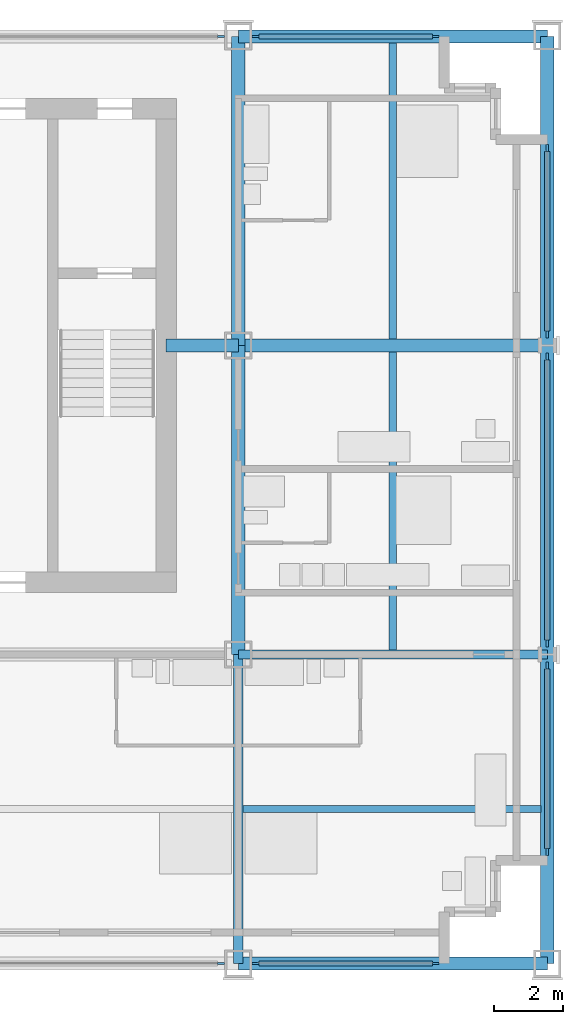
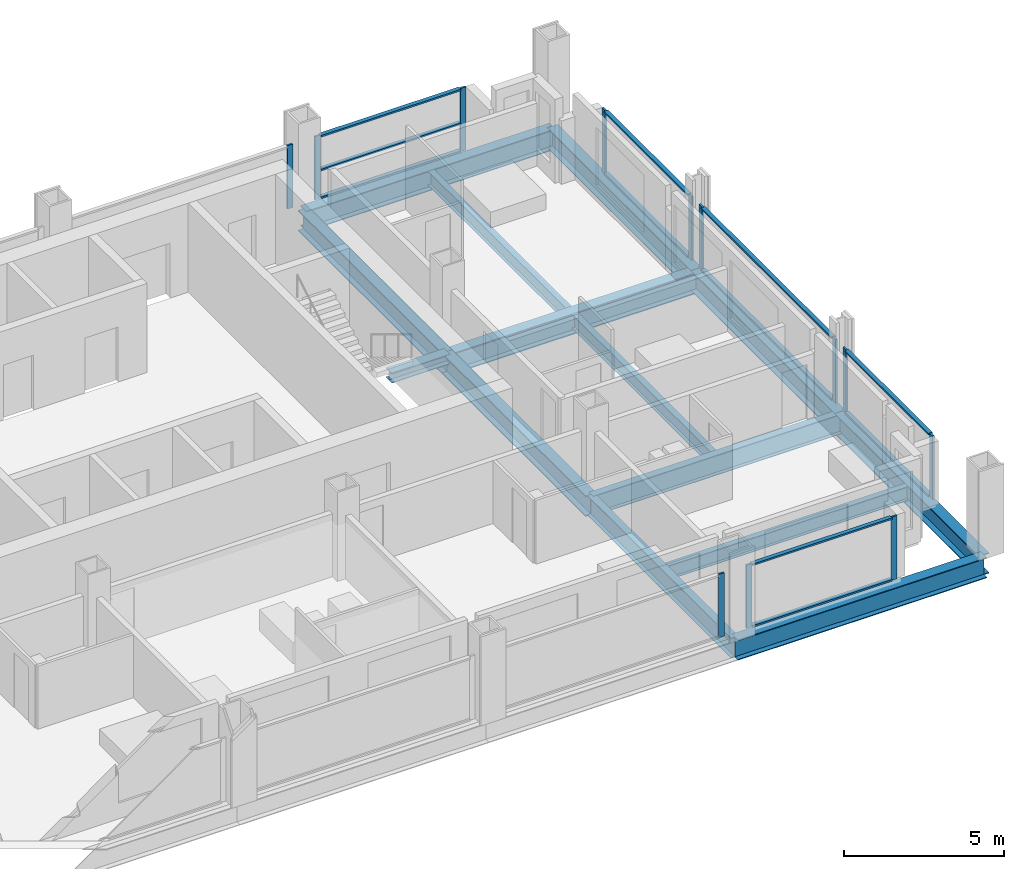
# One storey, part 5 of 13: 24 members, 13 beams, 7 elements without a shape of their own.
"""IFC4 building model written with IfcOpenShell, lengths in metres."""

from ifc_helpers import new_model, si_unit, direction, frame, origin, origin_2d, place, context, subcontext, project, spatial, rectangle, i_section, extrude, material, material_profile, profile_set, type_object, element, aggregate, save


model = new_model("IFC4")

# Units and contexts
model_context = context("Model", 3, precision=1e-05, world=origin(), true_north=direction((0.0, 1.0)))
body_context = subcontext(model_context, "Body", "Model", "MODEL_VIEW")
ifc_project = project(units=[si_unit("LENGTHUNIT", "METRE"), si_unit("AREAUNIT", "SQUARE_METRE"), si_unit("VOLUMEUNIT", "CUBIC_METRE"), si_unit("PLANEANGLEUNIT", "RADIAN"), si_unit("MASSUNIT", "GRAM", prefix="KILO")], contexts=[model_context])

# Site, building, storey
site_placement = place(None, origin())
site = spatial("IfcSite", under=ifc_project, at=site_placement, CompositionType="ELEMENT")
building_placement = place(site_placement, origin())
building = spatial("IfcBuilding", under=site, at=building_placement, Name="Loomwork Tower", CompositionType="ELEMENT")
storey_placement = place(building_placement, frame((0.0, 0.0, 180.800048828125)))
storey = spatial("IfcBuildingStorey", under=building, at=storey_placement, Name="L49", CompositionType="ELEMENT", Elevation=180.800048828125)

# Beams
ifc_material_1 = material(Name="Steel ASTM A992", Category="steel")
ifc_material_profile_1 = material_profile(ifc_material_1, i_section(OverallWidth=0.383544921875, OverallDepth=0.794921875, WebThickness=0.02099609375, FlangeThickness=0.0380859375, at=origin_2d()), Name="W30x235")
ifc_profile_set_1 = profile_set([ifc_material_profile_1], Name="Steel ASTM A992")
beam_type_1 = type_object("IfcBeamType", Name="CORE FLANK GIRDER W30x235", PredefinedType="BEAM", material=ifc_profile_set_1)
for number, where, z_axis, x_axis, name in (
    (1, (36.0, 18.0, -0.59765625), (1.0, 0.0, 0.0), (0.0, 1.0, 0.0), "Core Flank Girder F/6-F/7 L49"),
    (2, (36.0, 9.0, -0.59765625), (0.0, 1.0, 0.0), (-1.0, 0.0, 0.0), "Core Flank Girder E/6-F/6 L49"),
    (3, (36.0, 18.0, -0.59765625), (0.0, 1.0, 0.0), (-1.0, 0.0, 0.0), "Core Flank Girder F/6-G/6 L49"),
):
    element("IfcBeam", number, at=place(storey_placement, frame(where, z_axis=z_axis, x_axis=x_axis)), inside=storey, type_object=beam_type_1, Name=name, PredefinedType="BEAM", context=body_context, shape_type="SweptSolid", body=[
        extrude(i_section(OverallWidth=0.383544921875, OverallDepth=0.794921875, WebThickness=0.02099609375, FlangeThickness=0.0380859375, at=origin_2d()), origin(), (0.0, 0.0, 1.0), 9.0),
    ])

# Member
ifc_material_2 = material(Name="Steel ASTM A992", Category="steel")
ifc_material_profile_2 = material_profile(ifc_material_2, i_section(OverallWidth=0.373291015625, OverallDepth=0.373291015625, WebThickness=0.016357421875, FlangeThickness=0.026123046875, at=origin_2d()), Name="W14x132")
ifc_profile_set_2 = profile_set([ifc_material_profile_2], Name="Steel ASTM A992")
member_type_1 = type_object("IfcMemberType", Name="CORE LINK STRUT W14x132", PredefinedType="STRUT", material=ifc_profile_set_2)
member_1_placement = place(storey_placement, frame((36.0, 18.0, -0.38671875), z_axis=(-1.0, 0.0, 0.0), x_axis=(0.0, -1.0, 0.0)))
element("IfcMember", 4, at=member_1_placement, inside=storey, type_object=member_type_1, Name="Core link strut F/6-33.900,18.000 L49", PredefinedType="STRUT", context=body_context, shape_type="SweptSolid", body=[
    extrude(i_section(OverallWidth=0.373291015625, OverallDepth=0.373291015625, WebThickness=0.016357421875, FlangeThickness=0.026123046875, at=origin_2d()), origin(), (0.0, 0.0, 1.0), 2.10009765625),
])

# Beams
ifc_material_3 = material(Name="Steel ASTM A992", Category="steel")
ifc_material_profile_3 = material_profile(ifc_material_3, i_section(OverallWidth=0.2666015625, OverallDepth=0.761962890625, WebThickness=0.014404296875, FlangeThickness=0.021484375, at=origin_2d()), Name="W30x116")
ifc_profile_set_3 = profile_set([ifc_material_profile_3], Name="Steel ASTM A992")
beam_type_2 = type_object("IfcBeamType", Name="FLOOR GIRDER W30x116", PredefinedType="BEAM", material=ifc_profile_set_3)
for number, where, z_axis, x_axis, name in (
    (5, (36.0, 9.0, -0.5810546875), (1.0, 0.0, 0.0), (0.0, 1.0, 0.0), "Floor Girder E/6-E/7 L49"),
    (6, (36.0, 0.0, -0.5810546875), (0.0, 1.0, 0.0), (-1.0, 0.0, 0.0), "Floor Girder D/6-E/6 L49"),
):
    element("IfcBeam", number, at=place(storey_placement, frame(where, z_axis=z_axis, x_axis=x_axis)), inside=storey, type_object=beam_type_2, Name=name, PredefinedType="BEAM", context=body_context, shape_type="SweptSolid", body=[
        extrude(i_section(OverallWidth=0.2666015625, OverallDepth=0.761962890625, WebThickness=0.014404296875, FlangeThickness=0.021484375, at=origin_2d()), origin(), (0.0, 0.0, 1.0), 9.0),
    ])
ifc_material_4 = material(Name="Steel ASTM A992", Category="steel")
ifc_material_profile_4 = material_profile(ifc_material_4, i_section(OverallWidth=0.2109375, OverallDepth=0.53857421875, WebThickness=0.011474609375, FlangeThickness=0.018798828125, at=origin_2d()), Name="W21x73")
ifc_profile_set_4 = profile_set([ifc_material_profile_4], Name="Steel ASTM A992")
beam_type_3 = type_object("IfcBeamType", Name="FLOOR JOIST W21x73", PredefinedType="JOIST", material=ifc_profile_set_4)
beam_1_placement = place(storey_placement, frame((36.133056640625, 4.5, -0.46923828125), z_axis=(1.0, 0.0, 0.0), x_axis=(0.0, 1.0, 0.0)))
element("IfcBeam", 7, at=beam_1_placement, inside=storey, type_object=beam_type_3, Name="Floor Joist 36.000,4.500-45.000,4.500 L49", PredefinedType="JOIST", context=body_context, shape_type="SweptSolid", body=[
    extrude(i_section(OverallWidth=0.2109375, OverallDepth=0.53857421875, WebThickness=0.011474609375, FlangeThickness=0.018798828125, at=origin_2d()), origin(), (0.0, 0.0, 1.0), 8.677001953125),
])
beam_2_placement = place(storey_placement, frame((40.5, 9.133056640625, -0.46923828125), z_axis=(0.0, 1.0, 0.0), x_axis=(-1.0, 0.0, 0.0)))
element("IfcBeam", 8, at=beam_2_placement, inside=storey, type_object=beam_type_3, Name="Floor Joist 40.500,9.000-40.500,18.000 L49", PredefinedType="JOIST", context=body_context, shape_type="SweptSolid", body=[
    extrude(i_section(OverallWidth=0.2109375, OverallDepth=0.53857421875, WebThickness=0.011474609375, FlangeThickness=0.018798828125, at=origin_2d()), origin(), (0.0, 0.0, 1.0), 8.676025390625),
])
beam_3_placement = place(storey_placement, frame((40.5, 18.19091796875, -0.46923828125), z_axis=(0.0, 1.0, 0.0), x_axis=(-1.0, 0.0, 0.0)))
element("IfcBeam", 9, at=beam_3_placement, inside=storey, type_object=beam_type_3, Name="Floor Joist 40.500,18.000-40.500,27.000 L49", PredefinedType="JOIST", context=body_context, shape_type="SweptSolid", body=[
    extrude(i_section(OverallWidth=0.2109375, OverallDepth=0.53857421875, WebThickness=0.011474609375, FlangeThickness=0.018798828125, at=origin_2d()), origin(), (0.0, 0.0, 1.0), 8.619140625),
])

# Curtain wall, member
ifc_material_5 = material(Name="Aluminium curtain wall frame", Category="aluminium")
curtain_wall_type_1 = type_object("IfcCurtainWallType", Name="Outer skin glazing hotel", PredefinedType="NOTDEFINED", material=ifc_material_5)
curtain_wall_1_placement = place(storey_placement, origin())
curtain_wall_1 = element("IfcCurtainWall", 10, at=curtain_wall_1_placement, inside=storey, type_object=curtain_wall_type_1, Name="Outer skin glazing hotel cw/S-27", PredefinedType="NOTDEFINED")
ifc_material_6 = material(Name="Aluminium curtain wall frame", Category="aluminium")
ifc_material_profile_5 = material_profile(ifc_material_6, rectangle(XDim=0.06494140625, YDim=0.199951171875, at=origin_2d()), Name="AL 65x200")
ifc_profile_set_5 = profile_set([ifc_material_profile_5], Name="Aluminium curtain wall frame")
member_type_2 = type_object("IfcMemberType", Name="Outer skin glazing hotel mullion", PredefinedType="MULLION", material=ifc_profile_set_5)
member_2_placement = place(storey_placement, frame((35.5, 0.0, 0.0), z_axis=(0.0, 0.0, 1.0), x_axis=(0.0, 1.0, 0.0)))
member_2 = element("IfcMember", 11, at=member_2_placement, type_object=member_type_2, Name="CW1 mullion 2", PredefinedType="MULLION", context=body_context, shape_type="SweptSolid", body=[
    extrude(rectangle(XDim=0.06494140625, YDim=0.199951171875, at=origin_2d()), origin(), (0.0, 0.0, 1.0), 2.420166015625),
])
aggregate(curtain_wall_1, [member_2])

# Curtain wall, members
curtain_wall_2_placement = place(storey_placement, origin())
curtain_wall_2 = element("IfcCurtainWall", 12, at=curtain_wall_2_placement, inside=storey, type_object=curtain_wall_type_1, Name="Outer skin glazing hotel cw/S-36", PredefinedType="NOTDEFINED")
member_3_placement = place(storey_placement, frame((36.5, 0.0, 0.0), z_axis=(0.0, 0.0, 1.0), x_axis=(0.0, 1.0, 0.0)))
member_3 = element("IfcMember", 13, at=member_3_placement, type_object=member_type_2, Name="CW1 mullion 1", PredefinedType="MULLION", context=body_context, shape_type="SweptSolid", body=[
    extrude(rectangle(XDim=0.06494140625, YDim=0.199951171875, at=origin_2d()), origin(), (0.0, 0.0, 1.0), 2.420166015625),
])
member_4_placement = place(storey_placement, frame((41.75, 0.0, 0.0), z_axis=(0.0, 0.0, 1.0), x_axis=(0.0, 1.0, 0.0)))
member_4 = element("IfcMember", 14, at=member_4_placement, type_object=member_type_2, Name="CW1 mullion 2", PredefinedType="MULLION", context=body_context, shape_type="SweptSolid", body=[
    extrude(rectangle(XDim=0.06494140625, YDim=0.199951171875, at=origin_2d()), origin(), (0.0, 0.0, 1.0), 2.420166015625),
])

curtain_wall_3_placement = place(storey_placement, origin())
curtain_wall_3 = element("IfcCurtainWall", 15, at=curtain_wall_3_placement, inside=storey, type_object=curtain_wall_type_1, Name="Outer skin glazing hotel cw/E-0", PredefinedType="NOTDEFINED")
member_5_placement = place(storey_placement, frame((45.0, 3.25, 0.0), z_axis=(0.0, 0.0, 1.0), x_axis=(-1.0, 0.0, 0.0)))
member_5 = element("IfcMember", 16, at=member_5_placement, type_object=member_type_2, Name="CW1 mullion 1", PredefinedType="MULLION", context=body_context, shape_type="SweptSolid", body=[
    extrude(rectangle(XDim=0.06494140625, YDim=0.199951171875, at=origin_2d()), origin(), (0.0, 0.0, 1.0), 2.420166015625),
])
member_6_placement = place(storey_placement, frame((45.0, 8.67529296875, 0.0), z_axis=(0.0, 0.0, 1.0), x_axis=(-1.0, 0.0, 0.0)))
member_6 = element("IfcMember", 17, at=member_6_placement, type_object=member_type_2, Name="CW1 mullion 2", PredefinedType="MULLION", context=body_context, shape_type="SweptSolid", body=[
    extrude(rectangle(XDim=0.06494140625, YDim=0.199951171875, at=origin_2d()), origin(), (0.0, 0.0, 1.0), 2.420166015625),
])

curtain_wall_4_placement = place(storey_placement, origin())
curtain_wall_4 = element("IfcCurtainWall", 18, at=curtain_wall_4_placement, inside=storey, type_object=curtain_wall_type_1, Name="Outer skin glazing hotel cw/E-9", PredefinedType="NOTDEFINED")
member_7_placement = place(storey_placement, frame((45.0, 9.32470703125, 0.0), z_axis=(0.0, 0.0, 1.0), x_axis=(-1.0, 0.0, 0.0)))
member_7 = element("IfcMember", 19, at=member_7_placement, type_object=member_type_2, Name="CW1 mullion 1", PredefinedType="MULLION", context=body_context, shape_type="SweptSolid", body=[
    extrude(rectangle(XDim=0.06494140625, YDim=0.199951171875, at=origin_2d()), origin(), (0.0, 0.0, 1.0), 2.420166015625),
])
member_8_placement = place(storey_placement, frame((45.0, 17.67529296875, 0.0), z_axis=(0.0, 0.0, 1.0), x_axis=(-1.0, 0.0, 0.0)))
member_8 = element("IfcMember", 20, at=member_8_placement, type_object=member_type_2, Name="CW1 mullion 2", PredefinedType="MULLION", context=body_context, shape_type="SweptSolid", body=[
    extrude(rectangle(XDim=0.06494140625, YDim=0.199951171875, at=origin_2d()), origin(), (0.0, 0.0, 1.0), 2.420166015625),
])

curtain_wall_5_placement = place(storey_placement, origin())
curtain_wall_5 = element("IfcCurtainWall", 21, at=curtain_wall_5_placement, inside=storey, type_object=curtain_wall_type_1, Name="Outer skin glazing hotel cw/E-18", PredefinedType="NOTDEFINED")
member_9_placement = place(storey_placement, frame((45.0, 18.32470703125, 0.0), z_axis=(0.0, 0.0, 1.0), x_axis=(-1.0, 0.0, 0.0)))
member_9 = element("IfcMember", 22, at=member_9_placement, type_object=member_type_2, Name="CW1 mullion 1", PredefinedType="MULLION", context=body_context, shape_type="SweptSolid", body=[
    extrude(rectangle(XDim=0.06494140625, YDim=0.199951171875, at=origin_2d()), origin(), (0.0, 0.0, 1.0), 2.420166015625),
])
member_10_placement = place(storey_placement, frame((45.0, 23.75, 0.0), z_axis=(0.0, 0.0, 1.0), x_axis=(-1.0, 0.0, 0.0)))
member_10 = element("IfcMember", 23, at=member_10_placement, type_object=member_type_2, Name="CW1 mullion 2", PredefinedType="MULLION", context=body_context, shape_type="SweptSolid", body=[
    extrude(rectangle(XDim=0.06494140625, YDim=0.199951171875, at=origin_2d()), origin(), (0.0, 0.0, 1.0), 2.420166015625),
])

# Member
ifc_material_7 = material(Name="Aluminium curtain wall frame", Category="aluminium")
ifc_material_profile_6 = material_profile(ifc_material_7, rectangle(XDim=0.14990234375, YDim=0.06494140625, at=origin_2d()), Name="AL 65x150")
ifc_profile_set_6 = profile_set([ifc_material_profile_6], Name="Aluminium curtain wall frame")
member_type_3 = type_object("IfcMemberType", Name="Outer skin glazing hotel transom", PredefinedType="USERDEFINED", material=ifc_profile_set_6)
member_11_placement = place(storey_placement, frame((36.60009765625, 0.0, 0.032470703125), z_axis=(1.0, 0.0, 0.0), x_axis=(0.0, 1.0, 0.0)))
member_11 = element("IfcMember", 24, at=member_11_placement, type_object=member_type_3, Name="CW1 transom 1.1", ObjectType="TRANSOM", PredefinedType="USERDEFINED", context=body_context, shape_type="SweptSolid", body=[
    extrude(rectangle(XDim=0.14990234375, YDim=0.06494140625, at=origin_2d()), origin(), (0.0, 0.0, 1.0), 5.0498046875),
])

member_12_placement = place(storey_placement, frame((36.60009765625, 0.0, 2.3876953125), z_axis=(1.0, 0.0, 0.0), x_axis=(0.0, 1.0, 0.0)))
member_12 = element("IfcMember", 25, at=member_12_placement, type_object=member_type_3, Name="CW1 transom 1.2", ObjectType="TRANSOM", PredefinedType="USERDEFINED", context=body_context, shape_type="SweptSolid", body=[
    extrude(rectangle(XDim=0.14990234375, YDim=0.06494140625, at=origin_2d()), origin(), (0.0, 0.0, 1.0), 5.0498046875),
])

aggregate(curtain_wall_2, [member_3, member_4, member_11, member_12])

member_13_placement = place(storey_placement, frame((45.0, 3.35009765625, 0.032470703125), z_axis=(0.0, 1.0, 0.0), x_axis=(-1.0, 0.0, 0.0)))
member_13 = element("IfcMember", 26, at=member_13_placement, type_object=member_type_3, Name="CW1 transom 1.1", ObjectType="TRANSOM", PredefinedType="USERDEFINED", context=body_context, shape_type="SweptSolid", body=[
    extrude(rectangle(XDim=0.14990234375, YDim=0.06494140625, at=origin_2d()), origin(), (0.0, 0.0, 1.0), 5.22509765625),
])

member_14_placement = place(storey_placement, frame((45.0, 3.35009765625, 2.3876953125), z_axis=(0.0, 1.0, 0.0), x_axis=(-1.0, 0.0, 0.0)))
member_14 = element("IfcMember", 27, at=member_14_placement, type_object=member_type_3, Name="CW1 transom 1.2", ObjectType="TRANSOM", PredefinedType="USERDEFINED", context=body_context, shape_type="SweptSolid", body=[
    extrude(rectangle(XDim=0.14990234375, YDim=0.06494140625, at=origin_2d()), origin(), (0.0, 0.0, 1.0), 5.22509765625),
])

aggregate(curtain_wall_3, [member_5, member_6, member_13, member_14])

member_15_placement = place(storey_placement, frame((45.0, 9.4248046875, 0.032470703125), z_axis=(0.0, 1.0, 0.0), x_axis=(-1.0, 0.0, 0.0)))
member_15 = element("IfcMember", 28, at=member_15_placement, type_object=member_type_3, Name="CW1 transom 1.1", ObjectType="TRANSOM", PredefinedType="USERDEFINED", context=body_context, shape_type="SweptSolid", body=[
    extrude(rectangle(XDim=0.14990234375, YDim=0.06494140625, at=origin_2d()), origin(), (0.0, 0.0, 1.0), 8.150390625),
])

member_16_placement = place(storey_placement, frame((45.0, 9.4248046875, 2.3876953125), z_axis=(0.0, 1.0, 0.0), x_axis=(-1.0, 0.0, 0.0)))
member_16 = element("IfcMember", 29, at=member_16_placement, type_object=member_type_3, Name="CW1 transom 1.2", ObjectType="TRANSOM", PredefinedType="USERDEFINED", context=body_context, shape_type="SweptSolid", body=[
    extrude(rectangle(XDim=0.14990234375, YDim=0.06494140625, at=origin_2d()), origin(), (0.0, 0.0, 1.0), 8.150390625),
])

aggregate(curtain_wall_4, [member_7, member_8, member_15, member_16])

member_17_placement = place(storey_placement, frame((45.0, 18.4248046875, 0.032470703125), z_axis=(0.0, 1.0, 0.0), x_axis=(-1.0, 0.0, 0.0)))
member_17 = element("IfcMember", 30, at=member_17_placement, type_object=member_type_3, Name="CW1 transom 1.1", ObjectType="TRANSOM", PredefinedType="USERDEFINED", context=body_context, shape_type="SweptSolid", body=[
    extrude(rectangle(XDim=0.14990234375, YDim=0.06494140625, at=origin_2d()), origin(), (0.0, 0.0, 1.0), 5.22509765625),
])

member_18_placement = place(storey_placement, frame((45.0, 18.4248046875, 2.3876953125), z_axis=(0.0, 1.0, 0.0), x_axis=(-1.0, 0.0, 0.0)))
member_18 = element("IfcMember", 31, at=member_18_placement, type_object=member_type_3, Name="CW1 transom 1.2", ObjectType="TRANSOM", PredefinedType="USERDEFINED", context=body_context, shape_type="SweptSolid", body=[
    extrude(rectangle(XDim=0.14990234375, YDim=0.06494140625, at=origin_2d()), origin(), (0.0, 0.0, 1.0), 5.22509765625),
])

aggregate(curtain_wall_5, [member_9, member_10, member_17, member_18])

# Beams
ifc_material_8 = material(Name="Steel ASTM A992", Category="steel")
ifc_material_profile_7 = material_profile(ifc_material_8, i_section(OverallWidth=0.381103515625, OverallDepth=0.77978515625, WebThickness=0.01806640625, FlangeThickness=0.0302734375, at=origin_2d()), Name="W30x191")
ifc_profile_set_7 = profile_set([ifc_material_profile_7], Name="Steel ASTM A992")
beam_type_4 = type_object("IfcBeamType", Name="SPANDREL GIRDER W30x191", PredefinedType="SPANDREL", material=ifc_profile_set_7)
for number, where, z_axis, x_axis, name in (
    (32, (36.0, 0.0, -0.58984375), (1.0, 0.0, 0.0), (0.0, 1.0, 0.0), "Spandrel Girder D/6-D/7 L49"),
    (33, (36.0, 27.0, -0.58984375), (1.0, 0.0, 0.0), (0.0, 1.0, 0.0), "Spandrel Girder G/6-G/7 L49"),
    (34, (45.0, 0.0, -0.58984375), (0.0, 1.0, 0.0), (-1.0, 0.0, 0.0), "Spandrel Girder D/7-E/7 L49"),
    (35, (45.0, 9.0, -0.58984375), (0.0, 1.0, 0.0), (-1.0, 0.0, 0.0), "Spandrel Girder E/7-F/7 L49"),
    (36, (45.0, 18.0, -0.58984375), (0.0, 1.0, 0.0), (-1.0, 0.0, 0.0), "Spandrel Girder F/7-G/7 L49"),
):
    element("IfcBeam", number, at=place(storey_placement, frame(where, z_axis=z_axis, x_axis=x_axis)), inside=storey, type_object=beam_type_4, Name=name, PredefinedType="SPANDREL", context=body_context, shape_type="SweptSolid", body=[
        extrude(i_section(OverallWidth=0.381103515625, OverallDepth=0.77978515625, WebThickness=0.01806640625, FlangeThickness=0.0302734375, at=origin_2d()), origin(), (0.0, 0.0, 1.0), 9.0),
    ])

# Curtain wall, member
ifc_material_9 = material(Name="Aluminium curtain wall frame", Category="aluminium")
curtain_wall_type_2 = type_object("IfcCurtainWallType", Name="Single skin glazing corridor", PredefinedType="NOTDEFINED", material=ifc_material_9)
curtain_wall_6_placement = place(storey_placement, origin())
curtain_wall_6 = element("IfcCurtainWall", 37, at=curtain_wall_6_placement, inside=storey, type_object=curtain_wall_type_2, Name="Single skin glazing corridor cw/N-27", PredefinedType="NOTDEFINED")
ifc_material_10 = material(Name="Aluminium curtain wall frame", Category="aluminium")
ifc_material_profile_8 = material_profile(ifc_material_10, rectangle(XDim=0.06494140625, YDim=0.199951171875, at=origin_2d()), Name="AL 65x200")
ifc_profile_set_8 = profile_set([ifc_material_profile_8], Name="Aluminium curtain wall frame")
member_type_4 = type_object("IfcMemberType", Name="Single skin glazing corridor mullion", PredefinedType="MULLION", material=ifc_profile_set_8)
member_19_placement = place(storey_placement, frame((35.5, 27.0, 0.0), z_axis=(0.0, 0.0, 1.0), x_axis=(0.0, -1.0, 0.0)))
member_19 = element("IfcMember", 38, at=member_19_placement, type_object=member_type_4, Name="CW3 mullion 1", PredefinedType="MULLION", context=body_context, shape_type="SweptSolid", body=[
    extrude(rectangle(XDim=0.06494140625, YDim=0.199951171875, at=origin_2d()), origin(), (0.0, 0.0, 1.0), 2.420166015625),
])
aggregate(curtain_wall_6, [member_19])

# Curtain wall, members
curtain_wall_7_placement = place(storey_placement, origin())
curtain_wall_7 = element("IfcCurtainWall", 39, at=curtain_wall_7_placement, inside=storey, type_object=curtain_wall_type_2, Name="Single skin glazing corridor cw/N-36", PredefinedType="NOTDEFINED")
member_20_placement = place(storey_placement, frame((41.75, 27.0, 0.0), z_axis=(0.0, 0.0, 1.0), x_axis=(0.0, -1.0, 0.0)))
member_20 = element("IfcMember", 40, at=member_20_placement, type_object=member_type_4, Name="CW3 mullion 1", PredefinedType="MULLION", context=body_context, shape_type="SweptSolid", body=[
    extrude(rectangle(XDim=0.06494140625, YDim=0.199951171875, at=origin_2d()), origin(), (0.0, 0.0, 1.0), 2.420166015625),
])
member_21_placement = place(storey_placement, frame((36.5, 27.0, 0.0), z_axis=(0.0, 0.0, 1.0), x_axis=(0.0, -1.0, 0.0)))
member_21 = element("IfcMember", 41, at=member_21_placement, type_object=member_type_4, Name="CW3 mullion 2", PredefinedType="MULLION", context=body_context, shape_type="SweptSolid", body=[
    extrude(rectangle(XDim=0.06494140625, YDim=0.199951171875, at=origin_2d()), origin(), (0.0, 0.0, 1.0), 2.420166015625),
])
ifc_material_11 = material(Name="Aluminium curtain wall frame", Category="aluminium")
ifc_material_profile_9 = material_profile(ifc_material_11, rectangle(XDim=0.14990234375, YDim=0.06494140625, at=origin_2d()), Name="AL 65x150")
ifc_profile_set_9 = profile_set([ifc_material_profile_9], Name="Aluminium curtain wall frame")
member_type_5 = type_object("IfcMemberType", Name="Single skin glazing corridor transom", PredefinedType="USERDEFINED", material=ifc_profile_set_9)
member_22_placement = place(storey_placement, frame((41.64990234375, 27.0, 0.032470703125), z_axis=(-1.0, 0.0, 0.0), x_axis=(0.0, -1.0, 0.0)))
member_22 = element("IfcMember", 42, at=member_22_placement, type_object=member_type_5, Name="CW3 transom 1.1", ObjectType="TRANSOM", PredefinedType="USERDEFINED", context=body_context, shape_type="SweptSolid", body=[
    extrude(rectangle(XDim=0.14990234375, YDim=0.06494140625, at=origin_2d()), origin(), (0.0, 0.0, 1.0), 5.0498046875),
])
member_23_placement = place(storey_placement, frame((41.64990234375, 27.0, 1.099853515625), z_axis=(-1.0, 0.0, 0.0), x_axis=(0.0, -1.0, 0.0)))
member_23 = element("IfcMember", 43, at=member_23_placement, type_object=member_type_5, Name="CW3 transom 1.2", ObjectType="TRANSOM", PredefinedType="USERDEFINED", context=body_context, shape_type="SweptSolid", body=[
    extrude(rectangle(XDim=0.14990234375, YDim=0.06494140625, at=origin_2d()), origin(), (0.0, 0.0, 1.0), 5.0498046875),
])
member_24_placement = place(storey_placement, frame((41.64990234375, 27.0, 2.3876953125), z_axis=(-1.0, 0.0, 0.0), x_axis=(0.0, -1.0, 0.0)))
member_24 = element("IfcMember", 44, at=member_24_placement, type_object=member_type_5, Name="CW3 transom 1.3", ObjectType="TRANSOM", PredefinedType="USERDEFINED", context=body_context, shape_type="SweptSolid", body=[
    extrude(rectangle(XDim=0.14990234375, YDim=0.06494140625, at=origin_2d()), origin(), (0.0, 0.0, 1.0), 5.0498046875),
])
aggregate(curtain_wall_7, [member_20, member_21, member_22, member_23, member_24])

save(model, "model.ifc")
